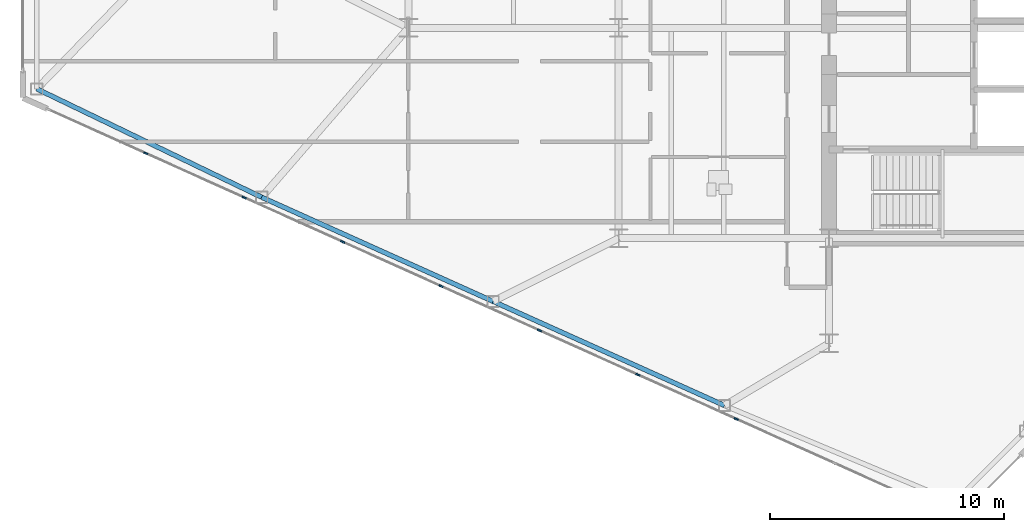
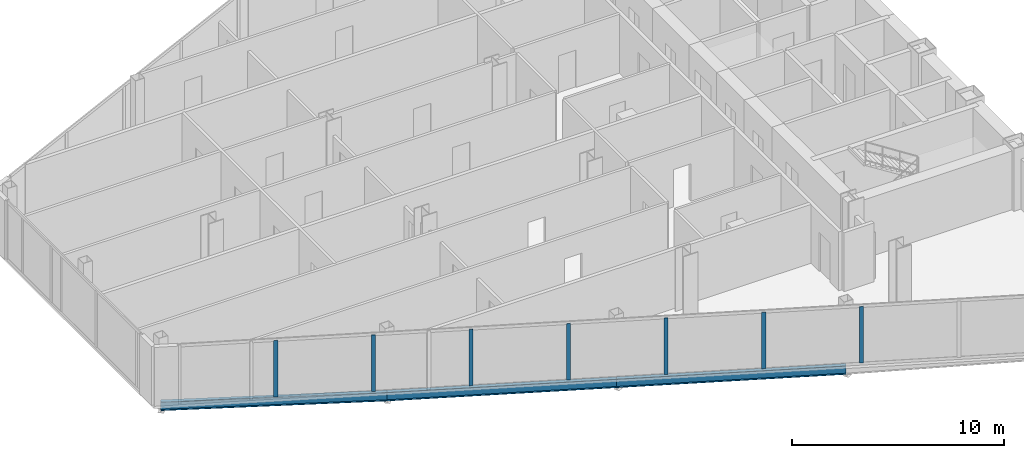
# One storey, part 3 of 27: 7 members, 3 beams, 1 element without a shape of its own.
"""IFC4 building model written with IfcOpenShell, lengths in metres."""

from ifc_helpers import new_model, si_unit, direction, frame, origin, origin_2d, place, context, subcontext, project, spatial, rectangle, i_section, extrude, source, transform, mapped, material, layer, layer_set, material_profile, profile_set, type_object, type_shapes, element, aggregate, save


model = new_model("IFC4")

# Units and contexts
model_context = context("Model", 3, precision=1e-05, world=origin(), true_north=direction((0.0, 1.0)))
body_context = subcontext(model_context, "Body", "Model", "MODEL_VIEW")
ifc_project = project(units=[si_unit("LENGTHUNIT", "METRE"), si_unit("AREAUNIT", "SQUARE_METRE"), si_unit("VOLUMEUNIT", "CUBIC_METRE"), si_unit("PLANEANGLEUNIT", "RADIAN"), si_unit("MASSUNIT", "GRAM", prefix="KILO")], contexts=[model_context])

# Site, building, storey
site_placement = place(None, origin())
site = spatial("IfcSite", under=ifc_project, at=site_placement, CompositionType="ELEMENT")
building_placement = place(site_placement, origin())
building = spatial("IfcBuilding", under=site, at=building_placement, Name="Seokmaru Belvedere", CompositionType="ELEMENT")
storey_placement = place(building_placement, frame((0.0, 0.0, 92.39990234375)))
storey = spatial("IfcBuildingStorey", under=building, at=storey_placement, Name="L24", CompositionType="ELEMENT", Elevation=92.39990234375)

# Beams
ifc_material_1 = material(Name="Steel SM355 (355 MPa)", Category="steel")
ifc_material_profile_1 = material_profile(ifc_material_1, i_section(OverallWidth=0.199951171875, OverallDepth=0.5, WebThickness=0.010009765625, FlangeThickness=0.01611328125, at=origin_2d()), Name="H-500x200x10x16")
ifc_profile_set_1 = profile_set([ifc_material_profile_1], Name="Steel SM355 (355 MPa)")
beam_type = type_object("IfcBeamType", Name="Perimeter Spandrel Beam H-500", PredefinedType="SPANDREL", material=ifc_profile_set_1)
shared_shape_1 = source(origin(), body_context, "Body", "SweptSolid", [
    extrude(i_section(OverallWidth=0.199951171875, OverallDepth=0.5, WebThickness=0.010009765625, FlangeThickness=0.01611328125, at=origin_2d()), origin(), (0.0, 0.0, 1.0), 10.85888671875),
])
for number, where, z_axis, x_axis, name in (
    (1, (-40.97265625, -20.661376953125, -0.469970703125), (-0.911921505175, 0.410364677329, 0.0), (-0.410364677329, -0.911921505175, 0.0), "L24 W Faceted Flank Spandrel S-2"),
    (2, (-50.875, -16.205322265625, -0.469970703125), (-0.911925291223, 0.410356263785, 0.0), (-0.410356263785, -0.911925291223, 0.0), "L24 W Faceted Flank Spandrel S-3"),
):
    element("IfcBeam", number, at=place(storey_placement, frame(where, z_axis=z_axis, x_axis=x_axis)), inside=storey, type_object=beam_type, Name=name, PredefinedType="SPANDREL", context=body_context, shape_type="MappedRepresentation", body=[
        mapped(shared_shape_1, transform((0.0, 0.0, 0.0), scale=1.0)),
    ])
shared_shape_2 = source(origin(), body_context, "Body", "SweptSolid", [
    extrude(i_section(OverallWidth=0.199951171875, OverallDepth=0.5, WebThickness=0.010009765625, FlangeThickness=0.01611328125, at=origin_2d()), origin(), (0.0, 0.0, 1.0), 10.681396484375),
])
type_shapes(beam_type, [shared_shape_1, shared_shape_2])
beam_placement = place(storey_placement, frame((-60.777587890625, -11.749267578125, -0.469970703125), z_axis=(-0.900846426616, 0.434137899352, 0.0), x_axis=(-0.434137899352, -0.900846426616, 0.0)))
element("IfcBeam", 3, at=beam_placement, inside=storey, type_object=beam_type, Name="L24 W Faceted Flank Spandrel S-4", PredefinedType="SPANDREL", context=body_context, shape_type="MappedRepresentation", body=[
    mapped(shared_shape_2, transform((0.0, 0.0, 0.0), scale=1.0)),
])

# Curtain wall, members
ifc_material_2 = material(Name="Bronze Triple Insulating Glass", Category="glass")
ifc_layer = layer(ifc_material_2, 0.195068359375)
ifc_layer_set = layer_set([ifc_layer], Name="Bronze Triple Insulating Glass")
curtain_wall_type = type_object("IfcCurtainWallType", Name="Lower-Mid Tapered Curtain Wall System CW-3", PredefinedType="NOTDEFINED", material=ifc_layer_set)
curtain_wall_placement = place(storey_placement, origin())
curtain_wall = element("IfcCurtainWall", 4, at=curtain_wall_placement, inside=storey, type_object=curtain_wall_type, Name="L24 Curtain Wall WF5", PredefinedType="NOTDEFINED")
ifc_material_3 = material(Name="Anodised Bronze Aluminium", Category="aluminium")
ifc_material_profile_2 = material_profile(ifc_material_3, rectangle(XDim=0.070068359375, YDim=0.195068359375, at=origin_2d()), Name="CW-M-70x195")
ifc_profile_set_2 = profile_set([ifc_material_profile_2], Name="Anodised Bronze Aluminium")
member_type = type_object("IfcMemberType", Name="Bronze Unitised Mullion 70x195", PredefinedType="MULLION", material=ifc_profile_set_2)
shared_shape_3 = source(origin(), body_context, "Body", "SweptSolid", [
    extrude(rectangle(XDim=0.070068359375, YDim=0.195068359375, at=origin_2d()), origin(), (0.0, 0.0, 1.0), 3.239990234375),
])
type_shapes(member_type, [shared_shape_3])
member_1_placement = place(storey_placement, frame((-65.739990234375, -9.866943359375, 0.070068359375), z_axis=(0.0, 0.0, 1.0), x_axis=(0.41036554765, 0.91192111353, 0.0)))
member_1 = element("IfcMember", 5, at=member_1_placement, type_object=member_type, Name="CW:L24:WF5 Mullion 2", PredefinedType="MULLION", context=body_context, shape_type="MappedRepresentation", body=[
    mapped(shared_shape_3, transform((0.0, 0.0, 0.0), scale=1.0)),
])
member_2_placement = place(storey_placement, frame((-61.528564453125, -11.76220703125, 0.070068359375), z_axis=(0.0, 0.0, 1.0), x_axis=(0.41036554765, 0.91192111353, 0.0)))
member_2 = element("IfcMember", 6, at=member_2_placement, type_object=member_type, Name="CW:L24:WF5 Mullion 3", PredefinedType="MULLION", context=body_context, shape_type="MappedRepresentation", body=[
    mapped(shared_shape_3, transform((0.0, 0.0, 0.0), scale=1.0)),
])
member_3_placement = place(storey_placement, frame((-57.317138671875, -13.6572265625, 0.070068359375), z_axis=(0.0, 0.0, 1.0), x_axis=(0.41036554765, 0.91192111353, 0.0)))
member_3 = element("IfcMember", 7, at=member_3_placement, type_object=member_type, Name="CW:L24:WF5 Mullion 4", PredefinedType="MULLION", context=body_context, shape_type="MappedRepresentation", body=[
    mapped(shared_shape_3, transform((0.0, 0.0, 0.0), scale=1.0)),
])
member_4_placement = place(storey_placement, frame((-53.105712890625, -15.552490234375, 0.070068359375), z_axis=(0.0, 0.0, 1.0), x_axis=(0.41036554765, 0.91192111353, 0.0)))
member_4 = element("IfcMember", 8, at=member_4_placement, type_object=member_type, Name="CW:L24:WF5 Mullion 5", PredefinedType="MULLION", context=body_context, shape_type="MappedRepresentation", body=[
    mapped(shared_shape_3, transform((0.0, 0.0, 0.0), scale=1.0)),
])
member_5_placement = place(storey_placement, frame((-48.894287109375, -17.447509765625, 0.070068359375), z_axis=(0.0, 0.0, 1.0), x_axis=(0.41036554765, 0.91192111353, 0.0)))
member_5 = element("IfcMember", 9, at=member_5_placement, type_object=member_type, Name="CW:L24:WF5 Mullion 6", PredefinedType="MULLION", context=body_context, shape_type="MappedRepresentation", body=[
    mapped(shared_shape_3, transform((0.0, 0.0, 0.0), scale=1.0)),
])
member_6_placement = place(storey_placement, frame((-44.682861328125, -19.3427734375, 0.070068359375), z_axis=(0.0, 0.0, 1.0), x_axis=(0.41036554765, 0.91192111353, 0.0)))
member_6 = element("IfcMember", 10, at=member_6_placement, type_object=member_type, Name="CW:L24:WF5 Mullion 7", PredefinedType="MULLION", context=body_context, shape_type="MappedRepresentation", body=[
    mapped(shared_shape_3, transform((0.0, 0.0, 0.0), scale=1.0)),
])
member_7_placement = place(storey_placement, frame((-40.471435546875, -21.23779296875, 0.070068359375), z_axis=(0.0, 0.0, 1.0), x_axis=(0.41036554765, 0.91192111353, 0.0)))
member_7 = element("IfcMember", 11, at=member_7_placement, type_object=member_type, Name="CW:L24:WF5 Mullion 8", PredefinedType="MULLION", context=body_context, shape_type="MappedRepresentation", body=[
    mapped(shared_shape_3, transform((0.0, 0.0, 0.0), scale=1.0)),
])
aggregate(curtain_wall, [member_1, member_2, member_3, member_4, member_5, member_6, member_7])

save(model, "model.ifc")
